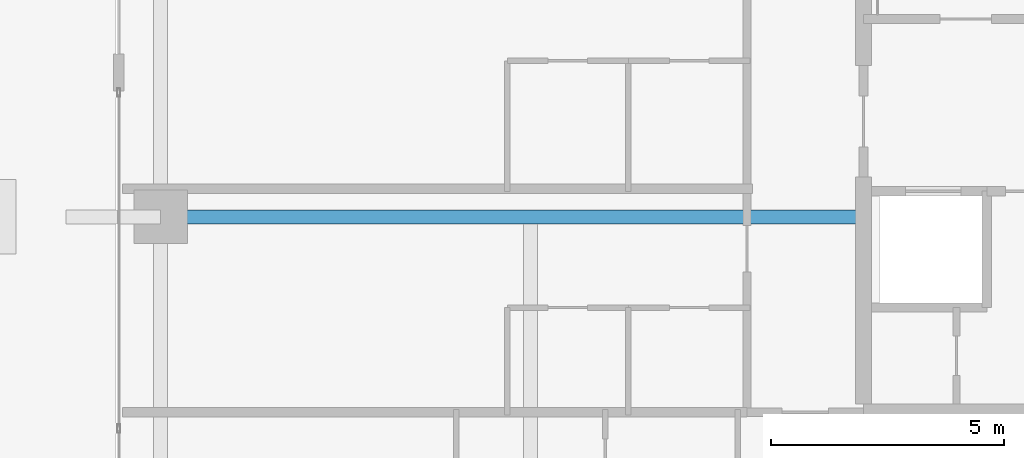
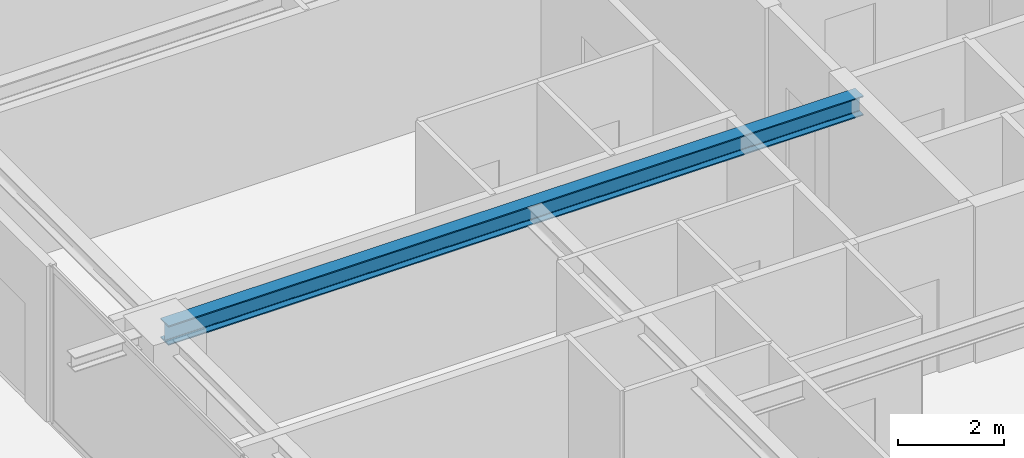
# One storey, part 9 of 36: 1 beam.
"""IFC4 building model written with IfcOpenShell, lengths in metres."""

from ifc_helpers import new_model, si_unit, direction, frame, origin, origin_2d, place, context, subcontext, project, spatial, i_section, extrude, source, transform, mapped, material, material_profile, profile_set, type_object, element, save


model = new_model("IFC4")

# Units and contexts
model_context = context("Model", 3, precision=1e-05, world=origin(), true_north=direction((0.0, 1.0)))
body_context = subcontext(model_context, "Body", "Model", "MODEL_VIEW")
ifc_project = project(units=[si_unit("LENGTHUNIT", "METRE"), si_unit("AREAUNIT", "SQUARE_METRE"), si_unit("VOLUMEUNIT", "CUBIC_METRE"), si_unit("PLANEANGLEUNIT", "RADIAN"), si_unit("MASSUNIT", "GRAM", prefix="KILO")], contexts=[model_context])

# Site, building, storey
site_placement = place(None, origin())
site = spatial("IfcSite", under=ifc_project, at=site_placement, CompositionType="ELEMENT")
building_placement = place(site_placement, origin())
building = spatial("IfcBuilding", under=site, at=building_placement, Name="Serunith Strait Residences", CompositionType="ELEMENT")
storey_placement = place(building_placement, frame((0.0, 0.0, 256.64990234375)))
storey = spatial("IfcBuildingStorey", under=building, at=storey_placement, Name="L64", CompositionType="ELEMENT", Elevation=256.64990234375)

# Beam
ifc_material = material(Name="Steel S355J2", Category="steel")
ifc_material_profile = material_profile(ifc_material, i_section(OverallWidth=0.300048828125, OverallDepth=0.449951171875, WebThickness=0.013916015625, FlangeThickness=0.02587890625, FilletRadius=0.027099609375, at=origin_2d()), Name="HEB 450")
ifc_profile_set = profile_set([ifc_material_profile], Name="Steel S355J2")
beam_type = type_object("IfcBeamType", Name="BM-HEB450", PredefinedType="BEAM", material=ifc_profile_set)
shared_shape = source(origin(), body_context, "Body", "SweptSolid", [
    extrude(i_section(OverallWidth=0.300048828125, OverallDepth=0.449951171875, WebThickness=0.013916015625, FlangeThickness=0.02587890625, FilletRadius=0.027099609375, at=origin_2d()), origin(), (0.0, 0.0, 1.0), 15.099853515625),
])
beam_placement = place(storey_placement, frame((23.39990234375, 21.0, 3.362060546875), z_axis=(-1.0, 0.0, 0.0), x_axis=(0.0, -1.0, 0.0)))
element("IfcBeam", 1, at=beam_placement, inside=storey, type_object=beam_type, Name="L64 Primary Floor Girder TC-W2", PredefinedType="BEAM", context=body_context, shape_type="MappedRepresentation", body=[
    mapped(shared_shape, transform((0.0, 0.0, 0.0), scale=1.0)),
])

save(model, "model.ifc")
